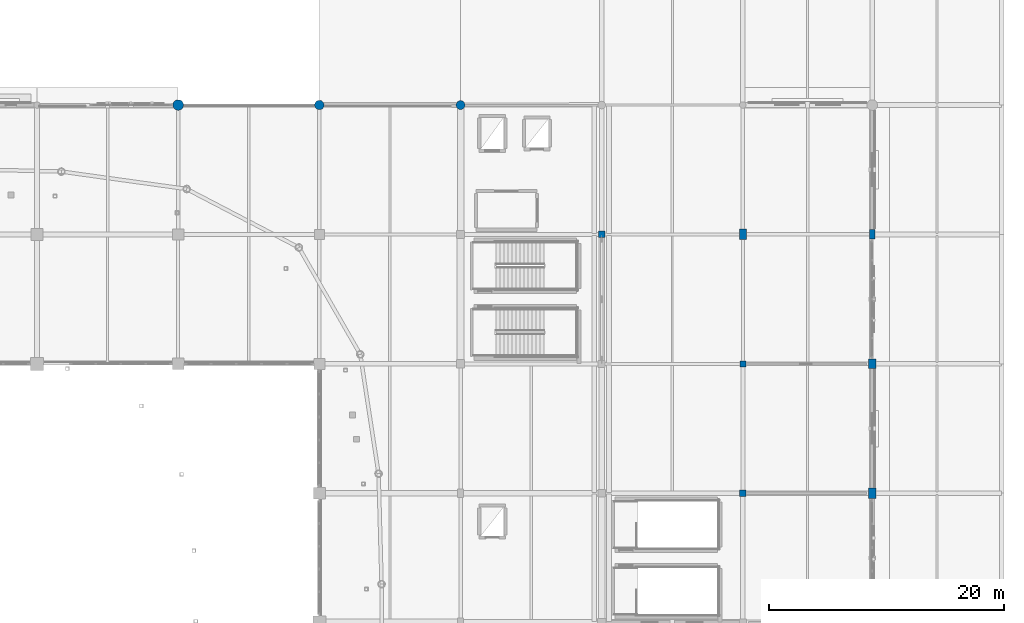
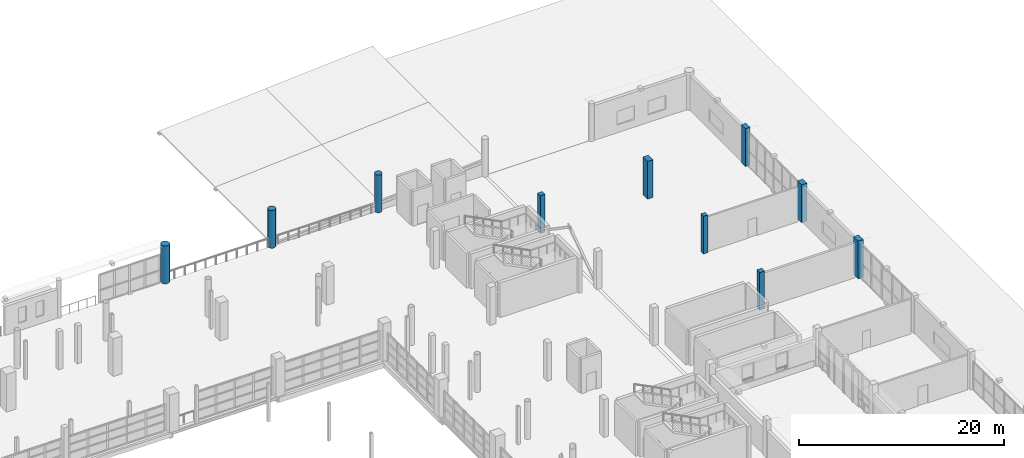
# One storey, part 20 of 118: 10 columns.
"""IFC4 building model written with IfcOpenShell, lengths in metres."""

from ifc_helpers import new_model, si_unit, direction, frame, origin, origin_2d, place, context, subcontext, project, spatial, rectangle, circle, extrude, material, material_profile, profile_set, type_object, element, save


model = new_model("IFC4")

# Units and contexts
model_context = context("Model", 3, precision=1e-05, world=origin(), true_north=direction((0.0, 1.0)))
body_context = subcontext(model_context, "Body", "Model", "MODEL_VIEW")
ifc_project = project(units=[si_unit("LENGTHUNIT", "METRE"), si_unit("AREAUNIT", "SQUARE_METRE"), si_unit("VOLUMEUNIT", "CUBIC_METRE"), si_unit("PLANEANGLEUNIT", "RADIAN"), si_unit("MASSUNIT", "GRAM", prefix="KILO")], contexts=[model_context])

# Site, building, storey
site_placement = place(None, origin())
site = spatial("IfcSite", under=ifc_project, at=site_placement, CompositionType="ELEMENT")
building_placement = place(site_placement, origin())
building = spatial("IfcBuilding", under=site, at=building_placement, Name="Luwafu Chhajja Arena", CompositionType="ELEMENT")
storey_placement = place(building_placement, frame((0.0, 0.0, 10.199951171875)))
storey = spatial("IfcBuildingStorey", under=building, at=storey_placement, Name="L02", CompositionType="ELEMENT", Elevation=10.199951171875)

# Columns
ifc_material_1 = material(Name="Concrete C35/45", Category="concrete")
ifc_material_profile_1 = material_profile(ifc_material_1, rectangle(XDim=0.5, YDim=0.800048828125, at=origin_2d()), Name="RC 500x800")
ifc_profile_set_1 = profile_set([ifc_material_profile_1], Name="Concrete C35/45")
column_type_1 = type_object("IfcColumnType", Name="BOH Frame Column RC 500x800", PredefinedType="COLUMN", material=ifc_profile_set_1)
column_1_placement = place(storey_placement, frame((187.0, 88.0, 0.0), z_axis=(0.0, 0.0, 1.0), x_axis=(1.0, 0.0, 0.0)))
element("IfcColumn", 1, at=column_1_placement, inside=storey, type_object=column_type_1, Name="L02 Grid Column 17/J", PredefinedType="COLUMN", context=body_context, shape_type="SweptSolid", body=[
    extrude(rectangle(XDim=0.5, YDim=0.800048828125, at=origin_2d()), origin(), (0.0, 0.0, 1.0), 4.5),
])
ifc_material_profile_2 = material_profile(ifc_material_1, circle(Radius=0.375, at=origin_2d()), Name="RC COL D750")
ifc_profile_set_2 = profile_set([ifc_material_profile_2], Name="Concrete C35/45")
column_type_2 = type_object("IfcColumnType", Name="Charbagh Cloister Pier D750", PredefinedType="COLUMN", material=ifc_profile_set_2)
column_2_placement = place(storey_placement, frame((152.0, 99.0, 0.0), z_axis=(0.0, 0.0, 1.0), x_axis=(1.0, 0.0, 0.0)))
element("IfcColumn", 2, at=column_2_placement, inside=storey, type_object=column_type_2, Name="L02 Grid Column 14/K", PredefinedType="COLUMN", context=body_context, shape_type="SweptSolid", body=[
    extrude(circle(Radius=0.375, at=origin_2d()), origin(), (0.0, 0.0, 1.0), 4.5),
])
ifc_material_2 = material(Name="Concrete C40/50", Category="concrete")
ifc_material_profile_3 = material_profile(ifc_material_2, circle(Radius=0.39990234375, at=origin_2d()), Name="RC COL D800")
ifc_profile_set_3 = profile_set([ifc_material_profile_3], Name="Concrete C40/50")
column_type_3 = type_object("IfcColumnType", Name="Foyer Rotunda Pier D800", PredefinedType="COLUMN", material=ifc_profile_set_3)
column_3_placement = place(storey_placement, frame((140.0, 99.0, 0.0), z_axis=(0.0, 0.0, 1.0), x_axis=(1.0, 0.0, 0.0)))
element("IfcColumn", 3, at=column_3_placement, inside=storey, type_object=column_type_3, Name="L02 Grid Column 13/K", PredefinedType="COLUMN", context=body_context, shape_type="SweptSolid", body=[
    extrude(circle(Radius=0.39990234375, at=origin_2d()), origin(), (0.0, 0.0, 1.0), 4.5),
])
ifc_material_profile_4 = material_profile(ifc_material_1, rectangle(XDim=0.550048828125, YDim=0.550048828125, at=origin_2d()), Name="RC 550x550")
ifc_profile_set_4 = profile_set([ifc_material_profile_4], Name="Concrete C35/45")
column_type_4 = type_object("IfcColumnType", Name="Gallery Column RC 550", PredefinedType="COLUMN", material=ifc_profile_set_4)
for number, where, z_axis, x_axis, name in (
    (4, (164.0, 88.0, 0.0), (0.0, 0.0, 1.0), (1.0, 0.0, 0.0), "L02 Grid Column 15/J"),
    (5, (176.0, 66.0, 0.0), (0.0, 0.0, 1.0), (1.0, 0.0, 0.0), "L02 Grid Column 16/G"),
):
    element("IfcColumn", number, at=place(storey_placement, frame(where, z_axis=z_axis, x_axis=x_axis)), inside=storey, type_object=column_type_4, Name=name, PredefinedType="COLUMN", context=body_context, shape_type="SweptSolid", body=[
        extrude(rectangle(XDim=0.550048828125, YDim=0.550048828125, at=origin_2d()), origin(), (0.0, 0.0, 1.0), 4.5),
    ])
ifc_material_profile_5 = material_profile(ifc_material_2, circle(Radius=0.449951171875, at=origin_2d()), Name="RC COL D900")
ifc_profile_set_5 = profile_set([ifc_material_profile_5], Name="Concrete C40/50")
column_type_5 = type_object("IfcColumnType", Name="Mughal Colonnade Drum Pier D900", PredefinedType="COLUMN", material=ifc_profile_set_5)
column_4_placement = place(storey_placement, frame((128.0, 99.0, 0.0), z_axis=(0.0, 0.0, 1.0), x_axis=(1.0, 0.0, 0.0)))
element("IfcColumn", 6, at=column_4_placement, inside=storey, type_object=column_type_5, Name="L02 Grid Column 12/K", PredefinedType="COLUMN", context=body_context, shape_type="SweptSolid", body=[
    extrude(circle(Radius=0.449951171875, at=origin_2d()), origin(), (0.0, 0.0, 1.0), 4.5),
])
ifc_material_profile_6 = material_profile(ifc_material_1, rectangle(XDim=0.5, YDim=0.5, at=origin_2d()), Name="RC 500x500")
ifc_profile_set_6 = profile_set([ifc_material_profile_6], Name="Concrete C35/45")
column_type_6 = type_object("IfcColumnType", Name="Pavilion Column RC 500", PredefinedType="COLUMN", material=ifc_profile_set_6)
column_5_placement = place(storey_placement, frame((176.0, 77.0, 0.0), z_axis=(0.0, 0.0, 1.0), x_axis=(1.0, 0.0, 0.0)))
element("IfcColumn", 7, at=column_5_placement, inside=storey, type_object=column_type_6, Name="L02 Grid Column 16/H", PredefinedType="COLUMN", context=body_context, shape_type="SweptSolid", body=[
    extrude(rectangle(XDim=0.5, YDim=0.5, at=origin_2d()), origin(), (0.0, 0.0, 1.0), 4.5),
])
ifc_material_profile_7 = material_profile(ifc_material_2, rectangle(XDim=0.60009765625, YDim=0.800048828125, at=origin_2d()), Name="RC 600x800")
ifc_profile_set_7 = profile_set([ifc_material_profile_7], Name="Concrete C40/50")
column_type_7 = type_object("IfcColumnType", Name="Pishtaq Pier Column RC 600x800", PredefinedType="COLUMN", material=ifc_profile_set_7)
column_6_placement = place(storey_placement, frame((187.0, 77.0, 0.0), z_axis=(0.0, 0.0, 1.0), x_axis=(1.0, 0.0, 0.0)))
element("IfcColumn", 8, at=column_6_placement, inside=storey, type_object=column_type_7, Name="L02 Grid Column 17/H", PredefinedType="COLUMN", context=body_context, shape_type="SweptSolid", body=[
    extrude(rectangle(XDim=0.60009765625, YDim=0.800048828125, at=origin_2d()), origin(), (0.0, 0.0, 1.0), 4.5),
])
ifc_material_profile_8 = material_profile(ifc_material_2, rectangle(XDim=0.60009765625, YDim=0.89990234375, at=origin_2d()), Name="RC 600x900")
ifc_profile_set_8 = profile_set([ifc_material_profile_8], Name="Concrete C40/50")
column_type_8 = type_object("IfcColumnType", Name="Warm-Up Hall Portal Column RC 600x900", PredefinedType="COLUMN", material=ifc_profile_set_8)
for number, where, z_axis, x_axis, name in (
    (9, (176.0, 88.0, 0.0), (0.0, 0.0, 1.0), (1.0, 0.0, 0.0), "L02 Grid Column 16/J"),
    (10, (187.0, 66.0, 0.0), (0.0, 0.0, 1.0), (1.0, 0.0, 0.0), "L02 Grid Column 17/G"),
):
    element("IfcColumn", number, at=place(storey_placement, frame(where, z_axis=z_axis, x_axis=x_axis)), inside=storey, type_object=column_type_8, Name=name, PredefinedType="COLUMN", context=body_context, shape_type="SweptSolid", body=[
        extrude(rectangle(XDim=0.60009765625, YDim=0.89990234375, at=origin_2d()), origin(), (0.0, 0.0, 1.0), 4.5),
    ])

save(model, "model.ifc")
